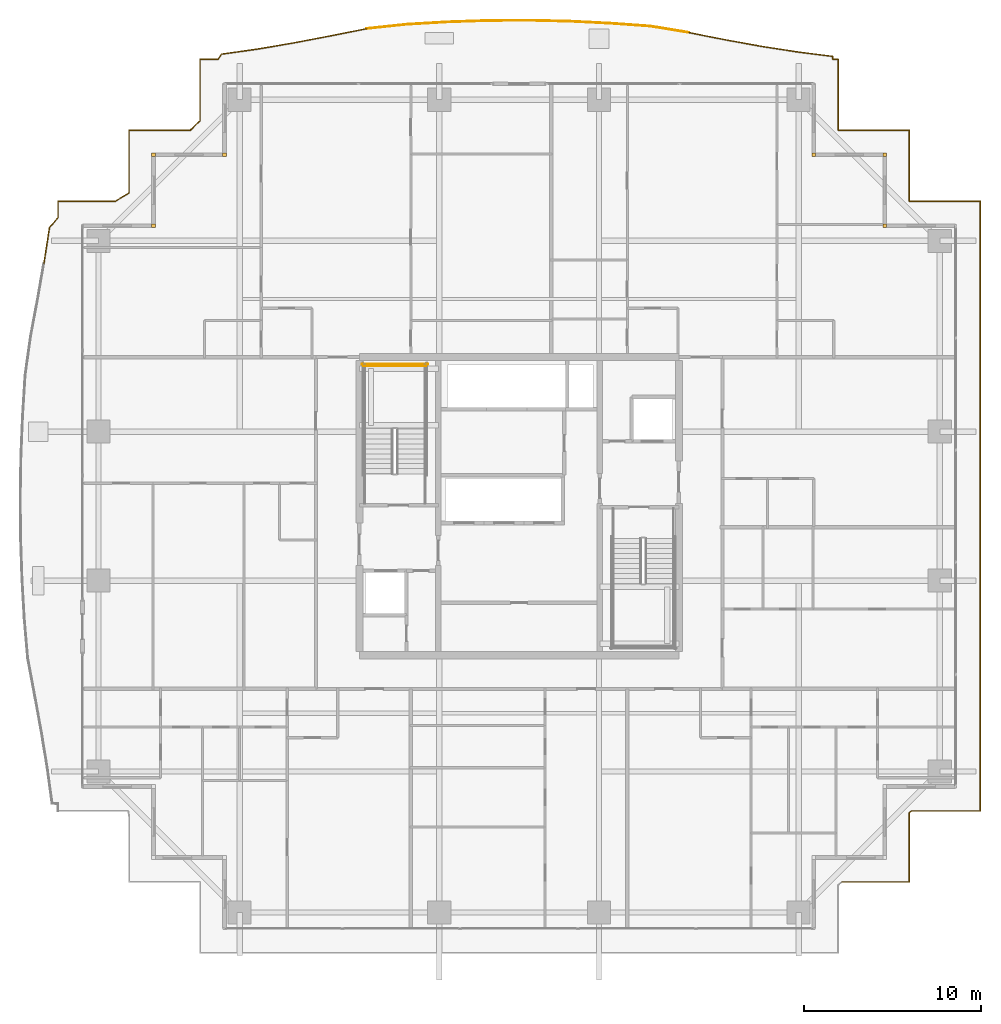
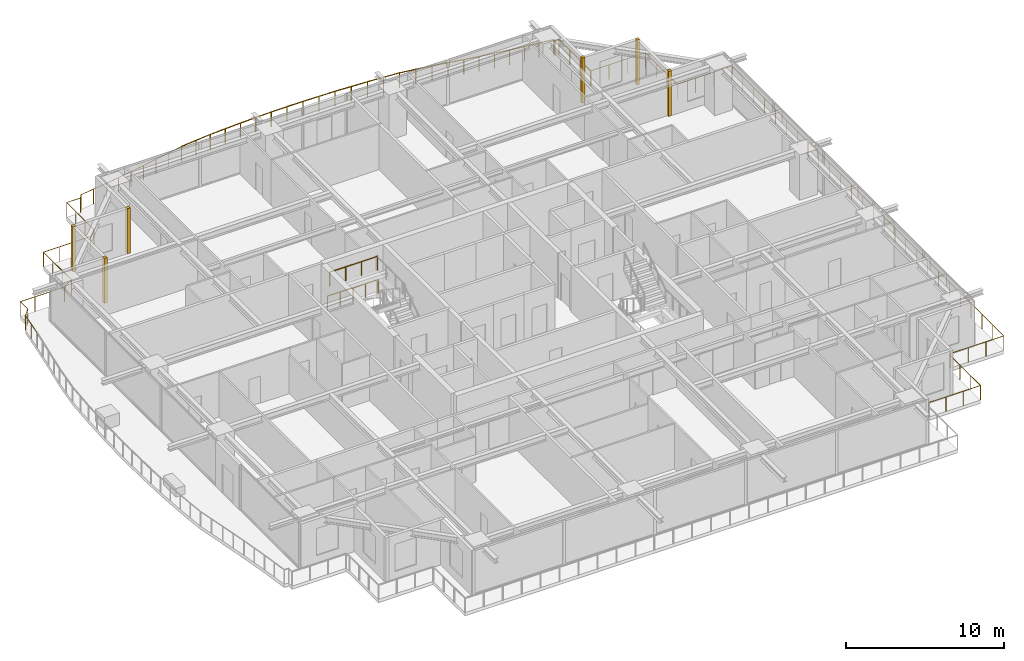
# One storey, part 38 of 38: 7 railings, 6 coverings.
"""IFC4 building model written with IfcOpenShell, lengths in metres."""

from ifc_helpers import new_model, si_unit, direction, frame, origin, origin_2d, place, context, subcontext, project, spatial, rectangle, circle, extrude, source, transform, mapped, material, layer, layer_set, type_object, element, save


model = new_model("IFC4")

# Units and contexts
model_context = context("Model", 3, precision=1e-05, world=origin(), true_north=direction((0.0, 1.0)))
body_context = subcontext(model_context, "Body", "Model", "MODEL_VIEW")
ifc_project = project(units=[si_unit("LENGTHUNIT", "METRE"), si_unit("AREAUNIT", "SQUARE_METRE"), si_unit("VOLUMEUNIT", "CUBIC_METRE"), si_unit("PLANEANGLEUNIT", "RADIAN"), si_unit("MASSUNIT", "GRAM", prefix="KILO")], contexts=[model_context])

# Site, building, storey
site_placement = place(None, origin())
site = spatial("IfcSite", under=ifc_project, at=site_placement, CompositionType="ELEMENT")
building_placement = place(site_placement, origin())
building = spatial("IfcBuilding", under=site, at=building_placement, Name="Serunith Strait Residences", CompositionType="ELEMENT")
storey_placement = place(building_placement, frame((0.0, 0.0, 183.89990234375)))
storey = spatial("IfcBuildingStorey", under=building, at=storey_placement, Name="L46", CompositionType="ELEMENT", Elevation=183.89990234375)

# Railings
ifc_material_1 = material(Name="Stainless Steel & Laminated Glass Balustrade", Category="steel")
railing_type_1 = type_object("IfcRailingType", Name="RLG-BALC-1150", PredefinedType="BALUSTRADE", material=ifc_material_1)
railing_1_placement = place(storey_placement, frame((5.6240234375, 38.878173828125, -0.0498046875)))
element("IfcRailing", 1, at=railing_1_placement, inside=storey, type_object=railing_type_1, Name="L46 Swirling Balcony Perimeter Balustrade 3", PredefinedType="BALUSTRADE", context=body_context, shape_type="SweptSolid", body=[
    extrude(circle(Radius=0.02392578125, at=origin_2d()), frame((0.000244140625, 0.001953125, 1.1259765625), z_axis=(0.151588548142, 0.988443681791, 0.0), x_axis=(-0.988443681791, 0.151588548142, 0.0)), (0.0, 0.0, 1.0), 2.03173828125),
    extrude(circle(Radius=0.02392578125, at=origin_2d()), frame((0.309814453125, 2.013671875, 1.1259765625), z_axis=(0.648808239773, 0.760951948551, 0.0), x_axis=(-0.760951948551, 0.648808239773, 0.0)), (0.0, 0.0, 1.0), 0.7470703125),
    extrude(circle(Radius=0.02392578125, at=origin_2d()), frame((0.7958984375, 2.585693359375, 1.1259765625), z_axis=(0.0, 1.0, 0.0), x_axis=(-1.0, 0.0, 0.0)), (0.0, 0.0, 1.0), 0.9140625),
    extrude(circle(Radius=0.02392578125, at=origin_2d()), frame((0.7978515625, 3.501708984375, 1.1259765625), z_axis=(1.0, 0.0, 0.0), x_axis=(0.0, 1.0, 0.0)), (0.0, 0.0, 1.0), 3.22119140625),
    extrude(circle(Radius=0.02392578125, at=origin_2d()), frame((4.022705078125, 3.502685546875, 1.1259765625), z_axis=(0.858136356982, 0.513421846852, 0.0), x_axis=(-0.513421846852, 0.858136356982, 0.0)), (0.0, 0.0, 1.0), 0.89892578125),
    extrude(circle(Radius=0.02392578125, at=origin_2d()), frame((4.7958984375, 3.96728515625, 1.1259765625), z_axis=(0.0, 1.0, 0.0), x_axis=(-1.0, 0.0, 0.0)), (0.0, 0.0, 1.0), 3.532470703125),
    extrude(circle(Radius=0.02392578125, at=origin_2d()), frame((4.7978515625, 7.501708984375, 1.1259765625), z_axis=(1.0, 0.0, 0.0), x_axis=(0.0, 1.0, 0.0)), (0.0, 0.0, 1.0), 3.4453125),
    extrude(circle(Radius=0.02099609375, at=origin_2d()), origin(), (0.0, 0.0, 1.0), 1.099853515625),
    extrude(circle(Radius=0.02099609375, at=origin_2d()), frame((0.154296875, 1.006103515625, 0.0)), (0.0, 0.0, 1.0), 1.099853515625),
    extrude(circle(Radius=0.02099609375, at=origin_2d()), frame((0.30859375, 2.01220703125, 0.0)), (0.0, 0.0, 1.0), 1.099853515625),
    extrude(circle(Radius=0.02099609375, at=origin_2d()), frame((0.7958984375, 2.583740234375, 0.0)), (0.0, 0.0, 1.0), 1.099853515625),
    extrude(circle(Radius=0.02099609375, at=origin_2d()), frame((0.7958984375, 3.501708984375, 0.0)), (0.0, 0.0, 1.0), 1.099853515625),
    extrude(circle(Radius=0.02099609375, at=origin_2d()), frame((1.870849609375, 3.501708984375, 0.0)), (0.0, 0.0, 1.0), 1.099853515625),
    extrude(circle(Radius=0.02099609375, at=origin_2d()), frame((2.946044921875, 3.501708984375, 0.0)), (0.0, 0.0, 1.0), 1.099853515625),
    extrude(circle(Radius=0.02099609375, at=origin_2d()), frame((4.02099609375, 3.501708984375, 0.0)), (0.0, 0.0, 1.0), 1.099853515625),
    extrude(circle(Radius=0.02099609375, at=origin_2d()), frame((4.7958984375, 3.96533203125, 0.0)), (0.0, 0.0, 1.0), 1.099853515625),
    extrude(circle(Radius=0.02099609375, at=origin_2d()), frame((4.7958984375, 5.14404296875, 0.0)), (0.0, 0.0, 1.0), 1.099853515625),
    extrude(circle(Radius=0.02099609375, at=origin_2d()), frame((4.7958984375, 6.322998046875, 0.0)), (0.0, 0.0, 1.0), 1.099853515625),
    extrude(circle(Radius=0.02099609375, at=origin_2d()), frame((4.7958984375, 7.501708984375, 0.0)), (0.0, 0.0, 1.0), 1.099853515625),
    extrude(circle(Radius=0.02099609375, at=origin_2d()), frame((5.945556640625, 7.501708984375, 0.0)), (0.0, 0.0, 1.0), 1.099853515625),
    extrude(circle(Radius=0.02099609375, at=origin_2d()), frame((7.095458984375, 7.501708984375, 0.0)), (0.0, 0.0, 1.0), 1.099853515625),
    extrude(circle(Radius=0.02099609375, at=origin_2d()), frame((8.2451171875, 7.501708984375, 0.0)), (0.0, 0.0, 1.0), 1.099853515625),
])
railing_2_placement = place(storey_placement, frame((13.869140625, 46.3798828125, -0.0498046875)))
element("IfcRailing", 2, at=railing_2_placement, inside=storey, type_object=railing_type_1, Name="L46 Swirling Balcony Perimeter Balustrade 4", PredefinedType="BALUSTRADE", context=body_context, shape_type="SweptSolid", body=[
    extrude(circle(Radius=0.02392578125, at=origin_2d()), frame((0.00146484375, 0.00146484375, 1.1259765625), z_axis=(0.719912627496, 0.694064700711, 0.0), x_axis=(-0.694064700711, 0.719912627496, 0.0)), (0.0, 0.0, 1.0), 0.760986328125),
    extrude(circle(Radius=0.02392578125, at=origin_2d()), frame((0.55078125, 0.532958984375, 1.1259765625), z_axis=(0.0, 1.0, 0.0), x_axis=(-1.0, 0.0, 0.0)), (0.0, 0.0, 1.0), 3.465087890625),
    extrude(circle(Radius=0.02392578125, at=origin_2d()), frame((0.552734375, 4.0, 1.1259765625), z_axis=(1.0, 0.0, 0.0), x_axis=(0.0, 1.0, 0.0)), (0.0, 0.0, 1.0), 1.002685546875),
    extrude(circle(Radius=0.02392578125, at=origin_2d()), frame((1.55859375, 4.001708984375, 1.1259765625), z_axis=(0.580785130829, 0.814056897157, 0.0), x_axis=(-0.814056897157, 0.580785130829, 0.0)), (0.0, 0.0, 1.0), 0.352783203125),
    extrude(circle(Radius=0.02392578125, at=origin_2d()), frame((1.7666015625, 4.290771484375, 1.1259765625), z_axis=(0.990245098694, 0.139336443594, 0.0), x_axis=(-0.139336443594, 0.990245098694, 0.0)), (0.0, 0.0, 1.0), 2.0126953125),
    extrude(circle(Radius=0.02392578125, at=origin_2d()), frame((3.763671875, 4.57177734375, 1.1259765625), z_axis=(0.986000529247, 0.1667421852, 0.0), x_axis=(-0.1667421852, 0.986000529247, 0.0)), (0.0, 0.0, 1.0), 2.0400390625),
    extrude(circle(Radius=0.02392578125, at=origin_2d()), frame((5.779052734375, 4.912841796875, 1.1259765625), z_axis=(0.982190992646, 0.187885214867, 0.0), x_axis=(-0.187885214867, 0.982190992646, 0.0)), (0.0, 0.0, 1.0), 2.08544921875),
    extrude(circle(Radius=0.02392578125, at=origin_2d()), frame((7.831298828125, 5.305419921875, 1.1259765625), z_axis=(0.980698343778, 0.195526874141, 0.0), x_axis=(-0.195526874141, 0.980698343778, 0.0)), (0.0, 0.0, 1.0), 2.1474609375),
    extrude(circle(Radius=0.02099609375, at=origin_2d()), origin(), (0.0, 0.0, 1.0), 1.099853515625),
    extrude(circle(Radius=0.02099609375, at=origin_2d()), frame((0.55078125, 0.531005859375, 0.0)), (0.0, 0.0, 1.0), 1.099853515625),
    extrude(circle(Radius=0.02099609375, at=origin_2d()), frame((0.55078125, 1.687255859375, 0.0)), (0.0, 0.0, 1.0), 1.099853515625),
    extrude(circle(Radius=0.02099609375, at=origin_2d()), frame((0.55078125, 2.84375, 0.0)), (0.0, 0.0, 1.0), 1.099853515625),
    extrude(circle(Radius=0.02099609375, at=origin_2d()), frame((0.55078125, 4.0, 0.0)), (0.0, 0.0, 1.0), 1.099853515625),
    extrude(circle(Radius=0.02099609375, at=origin_2d()), frame((1.557373046875, 4.0, 0.0)), (0.0, 0.0, 1.0), 1.099853515625),
    extrude(circle(Radius=0.02099609375, at=origin_2d()), frame((1.7646484375, 4.29052734375, 0.0)), (0.0, 0.0, 1.0), 1.099853515625),
    extrude(circle(Radius=0.02099609375, at=origin_2d()), frame((2.76318359375, 4.43115234375, 0.0)), (0.0, 0.0, 1.0), 1.099853515625),
    extrude(circle(Radius=0.02099609375, at=origin_2d()), frame((3.76171875, 4.571533203125, 0.0)), (0.0, 0.0, 1.0), 1.099853515625),
    extrude(circle(Radius=0.02099609375, at=origin_2d()), frame((4.76953125, 4.741943359375, 0.0)), (0.0, 0.0, 1.0), 1.099853515625),
    extrude(circle(Radius=0.02099609375, at=origin_2d()), frame((5.777099609375, 4.912353515625, 0.0)), (0.0, 0.0, 1.0), 1.099853515625),
    extrude(circle(Radius=0.02099609375, at=origin_2d()), frame((6.80322265625, 5.108642578125, 0.0)), (0.0, 0.0, 1.0), 1.099853515625),
    extrude(circle(Radius=0.02099609375, at=origin_2d()), frame((7.829345703125, 5.304931640625, 0.0)), (0.0, 0.0, 1.0), 1.099853515625),
    extrude(circle(Radius=0.02099609375, at=origin_2d()), frame((8.88427734375, 5.51513671875, 0.0)), (0.0, 0.0, 1.0), 1.099853515625),
    extrude(circle(Radius=0.02099609375, at=origin_2d()), frame((9.939208984375, 5.7255859375, 0.0)), (0.0, 0.0, 1.0), 1.099853515625),
])
railing_3_placement = place(storey_placement, frame((23.808349609375, 52.10546875, -0.0498046875)))
element("IfcRailing", 3, at=railing_3_placement, inside=storey, type_object=railing_type_1, Name="L46 Swirling Balcony Perimeter Balustrade 5", PredefinedType="BALUSTRADE", context=body_context, shape_type="SweptSolid", body=[
    extrude(circle(Radius=0.02392578125, at=origin_2d()), frame((0.001953125, 0.000244140625, 1.1259765625), z_axis=(0.99443887495, 0.105315354952, 0.0), x_axis=(-0.105315354952, 0.99443887495, 0.0)), (0.0, 0.0, 1.0), 2.233154296875),
    extrude(circle(Radius=0.02392578125, at=origin_2d()), frame((2.2265625, 0.235595703125, 1.1259765625), z_axis=(0.998250697903, 0.059123126908, 0.0), x_axis=(-0.059123126908, 0.998250697903, 0.0)), (0.0, 0.0, 1.0), 2.279541015625),
    extrude(circle(Radius=0.02392578125, at=origin_2d()), frame((4.506103515625, 0.37060546875, 1.1259765625), z_axis=(0.999422967712, 0.033966624948, 0.0), x_axis=(-0.033966624948, 0.999422967712, 0.0)), (0.0, 0.0, 1.0), 2.30322265625),
    extrude(circle(Radius=0.02392578125, at=origin_2d()), frame((6.81201171875, 0.448974609375, 1.1259765625), z_axis=(0.999983223764, 0.005792425203, 0.0), x_axis=(-0.005792425203, 0.999983223764, 0.0)), (0.0, 0.0, 1.0), 2.314208984375),
    extrude(circle(Radius=0.02392578125, at=origin_2d()), frame((9.130126953125, 0.46240234375, 1.1259765625), z_axis=(0.999737899048, -0.022893955687, 0.0), x_axis=(0.022893955687, 0.999737899048, 0.0)), (0.0, 0.0, 1.0), 2.31005859375),
    extrude(circle(Radius=0.02392578125, at=origin_2d()), frame((11.443603515625, 0.409423828125, 1.1259765625), z_axis=(0.998782123134, -0.04933832696, 0.0), x_axis=(0.04933832696, 0.998782123134, 0.0)), (0.0, 0.0, 1.0), 2.2919921875),
    extrude(circle(Radius=0.02392578125, at=origin_2d()), frame((13.73681640625, 0.2958984375, 1.1259765625), z_axis=(0.997414761336, -0.071859542645, 0.0), x_axis=(0.071859542645, 0.997414761336, 0.0)), (0.0, 0.0, 1.0), 2.26220703125),
    extrude(circle(Radius=0.02392578125, at=origin_2d()), frame((15.9970703125, 0.133056640625, 1.1259765625), z_axis=(0.986791216944, -0.161997204181, 0.0), x_axis=(0.161997204181, 0.986791216944, 0.0)), (0.0, 0.0, 1.0), 2.188720703125),
    extrude(circle(Radius=0.02099609375, at=origin_2d()), origin(), (0.0, 0.0, 1.0), 1.099853515625),
    extrude(circle(Radius=0.02099609375, at=origin_2d()), frame((1.1123046875, 0.11767578125, 0.0)), (0.0, 0.0, 1.0), 1.099853515625),
    extrude(circle(Radius=0.02099609375, at=origin_2d()), frame((2.224609375, 0.235595703125, 0.0)), (0.0, 0.0, 1.0), 1.099853515625),
    extrude(circle(Radius=0.02099609375, at=origin_2d()), frame((3.3642578125, 0.30322265625, 0.0)), (0.0, 0.0, 1.0), 1.099853515625),
    extrude(circle(Radius=0.02099609375, at=origin_2d()), frame((4.504150390625, 0.37060546875, 0.0)), (0.0, 0.0, 1.0), 1.099853515625),
    extrude(circle(Radius=0.02099609375, at=origin_2d()), frame((5.6572265625, 0.40966796875, 0.0)), (0.0, 0.0, 1.0), 1.099853515625),
    extrude(circle(Radius=0.02099609375, at=origin_2d()), frame((6.81005859375, 0.448974609375, 0.0)), (0.0, 0.0, 1.0), 1.099853515625),
    extrude(circle(Radius=0.02099609375, at=origin_2d()), frame((7.96923828125, 0.45556640625, 0.0)), (0.0, 0.0, 1.0), 1.099853515625),
    extrude(circle(Radius=0.02099609375, at=origin_2d()), frame((9.128173828125, 0.46240234375, 0.0)), (0.0, 0.0, 1.0), 1.099853515625),
    extrude(circle(Radius=0.02099609375, at=origin_2d()), frame((10.284912109375, 0.43603515625, 0.0)), (0.0, 0.0, 1.0), 1.099853515625),
    extrude(circle(Radius=0.02099609375, at=origin_2d()), frame((11.441650390625, 0.409423828125, 0.0)), (0.0, 0.0, 1.0), 1.099853515625),
    extrude(circle(Radius=0.02099609375, at=origin_2d()), frame((12.58837890625, 0.352783203125, 0.0)), (0.0, 0.0, 1.0), 1.099853515625),
    extrude(circle(Radius=0.02099609375, at=origin_2d()), frame((13.73486328125, 0.296142578125, 0.0)), (0.0, 0.0, 1.0), 1.099853515625),
    extrude(circle(Radius=0.02099609375, at=origin_2d()), frame((14.864990234375, 0.21484375, 0.0)), (0.0, 0.0, 1.0), 1.099853515625),
    extrude(circle(Radius=0.02099609375, at=origin_2d()), frame((15.9951171875, 0.13330078125, 0.0)), (0.0, 0.0, 1.0), 1.099853515625),
    extrude(circle(Radius=0.02099609375, at=origin_2d()), frame((17.0771484375, -0.04443359375, 0.0)), (0.0, 0.0, 1.0), 1.099853515625),
    extrude(circle(Radius=0.02099609375, at=origin_2d()), frame((18.158935546875, -0.221923828125, 0.0)), (0.0, 0.0, 1.0), 1.099853515625),
])
railing_4_placement = place(storey_placement, frame((41.96728515625, 51.883544921875, -0.0498046875)))
element("IfcRailing", 4, at=railing_4_placement, inside=storey, type_object=railing_type_1, Name="L46 Swirling Balcony Perimeter Balustrade 6", PredefinedType="BALUSTRADE", context=body_context, shape_type="SweptSolid", body=[
    extrude(circle(Radius=0.02392578125, at=origin_2d()), frame((0.001953125, -0.00048828125, 1.1259765625), z_axis=(0.980995033294, -0.194032844264, 0.0), x_axis=(0.194032844264, 0.980995033294, 0.0)), (0.0, 0.0, 1.0), 2.114990234375),
    extrude(circle(Radius=0.02392578125, at=origin_2d()), frame((2.08056640625, -0.411376953125, 1.1259765625), z_axis=(0.983954928173, -0.178417205794, 0.0), x_axis=(0.178417205794, 0.983954928173, 0.0)), (0.0, 0.0, 1.0), 2.060791015625),
    extrude(circle(Radius=0.02392578125, at=origin_2d()), frame((4.1123046875, -0.77978515625, 1.1259765625), z_axis=(0.988212545361, -0.153088096176, 0.0), x_axis=(0.153088096176, 0.988212545361, 0.0)), (0.0, 0.0, 1.0), 2.024658203125),
    extrude(circle(Radius=0.02392578125, at=origin_2d()), frame((6.116943359375, -1.09033203125, 1.1259765625), z_axis=(0.992169082268, -0.124902010357, 0.0), x_axis=(0.124902010357, 0.992169082268, 0.0)), (0.0, 0.0, 1.0), 2.00537109375),
    extrude(circle(Radius=0.02392578125, at=origin_2d()), frame((8.108642578125, -1.343017578125, 1.1259765625), z_axis=(-0.009008643436, -0.999959421348, 0.0), x_axis=(0.999959421348, -0.009008643436, 0.0)), (0.0, 0.0, 1.0), 0.15869140625),
    extrude(circle(Radius=0.02392578125, at=origin_2d()), frame((8.109130859375, -1.503662109375, 1.1259765625), z_axis=(1.0, 0.0, 0.0), x_axis=(0.0, 1.0, 0.0)), (0.0, 0.0, 1.0), 0.301513671875),
    extrude(circle(Radius=0.02392578125, at=origin_2d()), frame((8.41259765625, -1.505615234375, 1.1259765625), z_axis=(0.0, -1.0, 0.0), x_axis=(1.0, 0.0, 0.0)), (0.0, 0.0, 1.0), 3.99609375),
    extrude(circle(Radius=0.02099609375, at=origin_2d()), origin(), (0.0, 0.0, 1.0), 1.099853515625),
    extrude(circle(Radius=0.02099609375, at=origin_2d()), frame((1.039306640625, -0.20556640625, 0.0)), (0.0, 0.0, 1.0), 1.099853515625),
    extrude(circle(Radius=0.02099609375, at=origin_2d()), frame((2.07861328125, -0.4111328125, 0.0)), (0.0, 0.0, 1.0), 1.099853515625),
    extrude(circle(Radius=0.02099609375, at=origin_2d()), frame((3.094482421875, -0.59521484375, 0.0)), (0.0, 0.0, 1.0), 1.099853515625),
    extrude(circle(Radius=0.02099609375, at=origin_2d()), frame((4.1103515625, -0.779541015625, 0.0)), (0.0, 0.0, 1.0), 1.099853515625),
    extrude(circle(Radius=0.02099609375, at=origin_2d()), frame((5.11279296875, -0.934814453125, 0.0)), (0.0, 0.0, 1.0), 1.099853515625),
    extrude(circle(Radius=0.02099609375, at=origin_2d()), frame((6.114990234375, -1.090087890625, 0.0)), (0.0, 0.0, 1.0), 1.099853515625),
    extrude(circle(Radius=0.02099609375, at=origin_2d()), frame((7.11181640625, -1.215576171875, 0.0)), (0.0, 0.0, 1.0), 1.099853515625),
    extrude(circle(Radius=0.02099609375, at=origin_2d()), frame((8.108642578125, -1.341064453125, 0.0)), (0.0, 0.0, 1.0), 1.099853515625),
    extrude(circle(Radius=0.02099609375, at=origin_2d()), frame((8.107177734375, -1.503662109375, 0.0)), (0.0, 0.0, 1.0), 1.099853515625),
    extrude(circle(Radius=0.02099609375, at=origin_2d()), frame((8.41259765625, -1.503662109375, 0.0)), (0.0, 0.0, 1.0), 1.099853515625),
    extrude(circle(Radius=0.02099609375, at=origin_2d()), frame((8.41259765625, -2.8369140625, 0.0)), (0.0, 0.0, 1.0), 1.099853515625),
    extrude(circle(Radius=0.02099609375, at=origin_2d()), frame((8.41259765625, -4.17041015625, 0.0)), (0.0, 0.0, 1.0), 1.099853515625),
    extrude(circle(Radius=0.02099609375, at=origin_2d()), frame((8.41259765625, -5.503662109375, 0.0)), (0.0, 0.0, 1.0), 1.099853515625),
])
railing_5_placement = place(storey_placement, frame((50.3798828125, 46.3798828125, -0.0498046875)))
element("IfcRailing", 5, at=railing_5_placement, inside=storey, type_object=railing_type_1, Name="L46 Swirling Balcony Perimeter Balustrade 7", PredefinedType="BALUSTRADE", context=body_context, shape_type="SweptSolid", body=[
    extrude(circle(Radius=0.02392578125, at=origin_2d()), frame((0.001953125, 0.0, 1.1259765625), z_axis=(1.0, 0.0, 0.0), x_axis=(0.0, 1.0, 0.0)), (0.0, 0.0, 1.0), 3.99609375),
    extrude(circle(Radius=0.02392578125, at=origin_2d()), frame((4.0, -0.001953125, 1.1259765625), z_axis=(0.0, -1.0, 0.0), x_axis=(1.0, 0.0, 0.0)), (0.0, 0.0, 1.0), 3.99609375),
    extrude(circle(Radius=0.02392578125, at=origin_2d()), frame((4.001953125, -4.0, 1.1259765625), z_axis=(1.0, 0.0, 0.0), x_axis=(0.0, 1.0, 0.0)), (0.0, 0.0, 1.0), 3.99609375),
    extrude(circle(Radius=0.02392578125, at=origin_2d()), frame((8.0, -4.001953125, 1.1259765625), z_axis=(0.0, -1.0, 0.0), x_axis=(1.0, 0.0, 0.0)), (0.0, 0.0, 1.0), 34.35595703125),
    extrude(circle(Radius=0.02392578125, at=origin_2d()), frame((7.998046875, -38.35986328125, 1.1259765625), z_axis=(-1.0, 0.0, 0.0), x_axis=(0.0, -1.0, 0.0)), (0.0, 0.0, 1.0), 3.86083984375),
    extrude(circle(Radius=0.02392578125, at=origin_2d()), frame((4.133544921875, -38.361083984375, 1.1259765625), z_axis=(-0.809367380782, -0.587302684249, 0.0), x_axis=(0.587302684249, -0.809367380782, 0.0)), (0.0, 0.0, 1.0), 0.1630859375),
    extrude(circle(Radius=0.02392578125, at=origin_2d()), frame((4.0, -38.4599609375, 1.1259765625), z_axis=(0.0, -1.0, 0.0), x_axis=(1.0, 0.0, 0.0)), (0.0, 0.0, 1.0), 3.89794921875),
    extrude(circle(Radius=0.02392578125, at=origin_2d()), frame((3.998046875, -42.35986328125, 1.1259765625), z_axis=(-1.0, 0.0, 0.0), x_axis=(0.0, -1.0, 0.0)), (0.0, 0.0, 1.0), 3.774169921875),
    extrude(circle(Radius=0.02099609375, at=origin_2d()), origin(), (0.0, 0.0, 1.0), 1.099853515625),
    extrude(circle(Radius=0.02099609375, at=origin_2d()), frame((1.333251953125, 0.0, 0.0)), (0.0, 0.0, 1.0), 1.099853515625),
    extrude(circle(Radius=0.02099609375, at=origin_2d()), frame((2.666748046875, 0.0, 0.0)), (0.0, 0.0, 1.0), 1.099853515625),
    extrude(circle(Radius=0.02099609375, at=origin_2d()), frame((4.0, 0.0, 0.0)), (0.0, 0.0, 1.0), 1.099853515625),
    extrude(circle(Radius=0.02099609375, at=origin_2d()), frame((4.0, -1.333251953125, 0.0)), (0.0, 0.0, 1.0), 1.099853515625),
    extrude(circle(Radius=0.02099609375, at=origin_2d()), frame((4.0, -2.666748046875, 0.0)), (0.0, 0.0, 1.0), 1.099853515625),
    extrude(circle(Radius=0.02099609375, at=origin_2d()), frame((4.0, -4.0, 0.0)), (0.0, 0.0, 1.0), 1.099853515625),
    extrude(circle(Radius=0.02099609375, at=origin_2d()), frame((5.333251953125, -4.0, 0.0)), (0.0, 0.0, 1.0), 1.099853515625),
    extrude(circle(Radius=0.02099609375, at=origin_2d()), frame((6.666748046875, -4.0, 0.0)), (0.0, 0.0, 1.0), 1.099853515625),
    extrude(circle(Radius=0.02099609375, at=origin_2d()), frame((8.0, -4.0, 0.0)), (0.0, 0.0, 1.0), 1.099853515625),
    extrude(circle(Radius=0.02099609375, at=origin_2d()), frame((8.0, -5.37451171875, 0.0)), (0.0, 0.0, 1.0), 1.099853515625),
    extrude(circle(Radius=0.02099609375, at=origin_2d()), frame((8.0, -6.748779296875, 0.0)), (0.0, 0.0, 1.0), 1.099853515625),
    extrude(circle(Radius=0.02099609375, at=origin_2d()), frame((8.0, -8.123291015625, 0.0)), (0.0, 0.0, 1.0), 1.099853515625),
    extrude(circle(Radius=0.02099609375, at=origin_2d()), frame((8.0, -9.49755859375, 0.0)), (0.0, 0.0, 1.0), 1.099853515625),
    extrude(circle(Radius=0.02099609375, at=origin_2d()), frame((8.0, -10.8720703125, 0.0)), (0.0, 0.0, 1.0), 1.099853515625),
    extrude(circle(Radius=0.02099609375, at=origin_2d()), frame((8.0, -12.246337890625, 0.0)), (0.0, 0.0, 1.0), 1.099853515625),
    extrude(circle(Radius=0.02099609375, at=origin_2d()), frame((8.0, -13.620849609375, 0.0)), (0.0, 0.0, 1.0), 1.099853515625),
    extrude(circle(Radius=0.02099609375, at=origin_2d()), frame((8.0, -14.9951171875, 0.0)), (0.0, 0.0, 1.0), 1.099853515625),
    extrude(circle(Radius=0.02099609375, at=origin_2d()), frame((8.0, -16.36962890625, 0.0)), (0.0, 0.0, 1.0), 1.099853515625),
    extrude(circle(Radius=0.02099609375, at=origin_2d()), frame((8.0, -17.743896484375, 0.0)), (0.0, 0.0, 1.0), 1.099853515625),
    extrude(circle(Radius=0.02099609375, at=origin_2d()), frame((8.0, -19.118408203125, 0.0)), (0.0, 0.0, 1.0), 1.099853515625),
    extrude(circle(Radius=0.02099609375, at=origin_2d()), frame((8.0, -20.49267578125, 0.0)), (0.0, 0.0, 1.0), 1.099853515625),
    extrude(circle(Radius=0.02099609375, at=origin_2d()), frame((8.0, -21.8671875, 0.0)), (0.0, 0.0, 1.0), 1.099853515625),
    extrude(circle(Radius=0.02099609375, at=origin_2d()), frame((8.0, -23.241455078125, 0.0)), (0.0, 0.0, 1.0), 1.099853515625),
    extrude(circle(Radius=0.02099609375, at=origin_2d()), frame((8.0, -24.615966796875, 0.0)), (0.0, 0.0, 1.0), 1.099853515625),
    extrude(circle(Radius=0.02099609375, at=origin_2d()), frame((8.0, -25.990234375, 0.0)), (0.0, 0.0, 1.0), 1.099853515625),
    extrude(circle(Radius=0.02099609375, at=origin_2d()), frame((8.0, -27.36474609375, 0.0)), (0.0, 0.0, 1.0), 1.099853515625),
    extrude(circle(Radius=0.02099609375, at=origin_2d()), frame((8.0, -28.739013671875, 0.0)), (0.0, 0.0, 1.0), 1.099853515625),
    extrude(circle(Radius=0.02099609375, at=origin_2d()), frame((8.0, -30.113525390625, 0.0)), (0.0, 0.0, 1.0), 1.099853515625),
    extrude(circle(Radius=0.02099609375, at=origin_2d()), frame((8.0, -31.48779296875, 0.0)), (0.0, 0.0, 1.0), 1.099853515625),
    extrude(circle(Radius=0.02099609375, at=origin_2d()), frame((8.0, -32.8623046875, 0.0)), (0.0, 0.0, 1.0), 1.099853515625),
    extrude(circle(Radius=0.02099609375, at=origin_2d()), frame((8.0, -34.236572265625, 0.0)), (0.0, 0.0, 1.0), 1.099853515625),
    extrude(circle(Radius=0.02099609375, at=origin_2d()), frame((8.0, -35.611083984375, 0.0)), (0.0, 0.0, 1.0), 1.099853515625),
    extrude(circle(Radius=0.02099609375, at=origin_2d()), frame((8.0, -36.9853515625, 0.0)), (0.0, 0.0, 1.0), 1.099853515625),
    extrude(circle(Radius=0.02099609375, at=origin_2d()), frame((8.0, -38.35986328125, 0.0)), (0.0, 0.0, 1.0), 1.099853515625),
    extrude(circle(Radius=0.02099609375, at=origin_2d()), frame((6.711669921875, -38.35986328125, 0.0)), (0.0, 0.0, 1.0), 1.099853515625),
    extrude(circle(Radius=0.02099609375, at=origin_2d()), frame((5.423583984375, -38.35986328125, 0.0)), (0.0, 0.0, 1.0), 1.099853515625),
    extrude(circle(Radius=0.02099609375, at=origin_2d()), frame((4.13525390625, -38.35986328125, 0.0)), (0.0, 0.0, 1.0), 1.099853515625),
    extrude(circle(Radius=0.02099609375, at=origin_2d()), frame((4.0, -38.4580078125, 0.0)), (0.0, 0.0, 1.0), 1.099853515625),
    extrude(circle(Radius=0.02099609375, at=origin_2d()), frame((4.0, -39.758544921875, 0.0)), (0.0, 0.0, 1.0), 1.099853515625),
    extrude(circle(Radius=0.02099609375, at=origin_2d()), frame((4.0, -41.059326171875, 0.0)), (0.0, 0.0, 1.0), 1.099853515625),
    extrude(circle(Radius=0.02099609375, at=origin_2d()), frame((4.0, -42.35986328125, 0.0)), (0.0, 0.0, 1.0), 1.099853515625),
    extrude(circle(Radius=0.02099609375, at=origin_2d()), frame((2.74072265625, -42.35986328125, 0.0)), (0.0, 0.0, 1.0), 1.099853515625),
    extrude(circle(Radius=0.02099609375, at=origin_2d()), frame((1.481201171875, -42.35986328125, 0.0)), (0.0, 0.0, 1.0), 1.099853515625),
    extrude(circle(Radius=0.02099609375, at=origin_2d()), frame((0.221923828125, -42.35986328125, 0.0)), (0.0, 0.0, 1.0), 1.099853515625),
])
ifc_material_2 = material(Name="Brushed stainless steel 316L", Category="steel")
railing_type_2 = type_object("IfcRailingType", Name="RLG-STAIR-GUARD", PredefinedType="BALUSTRADE", material=ifc_material_2)
railing_6_placement = place(storey_placement, frame((27.14990234375, 33.10009765625, 1.875)))
element("IfcRailing", 6, at=railing_6_placement, inside=storey, type_object=railing_type_2, Name="L46 ST-1 stair guard 5", PredefinedType="BALUSTRADE", context=body_context, shape_type="SweptSolid", body=[
    extrude(circle(Radius=0.02392578125, at=origin_2d()), frame((-0.001953125, 0.0, 1.076171875), z_axis=(-1.0, 0.0, 0.0), x_axis=(0.0, -1.0, 0.0)), (0.0, 0.0, 1.0), 3.49609375),
    extrude(circle(Radius=0.02099609375, at=origin_2d()), origin(), (0.0, 0.0, 1.0), 1.050048828125),
    extrude(circle(Radius=0.02099609375, at=origin_2d()), frame((-1.166748046875, 0.0, 0.0)), (0.0, 0.0, 1.0), 1.050048828125),
    extrude(circle(Radius=0.02099609375, at=origin_2d()), frame((-2.333251953125, 0.0, 0.0)), (0.0, 0.0, 1.0), 1.050048828125),
    extrude(circle(Radius=0.02099609375, at=origin_2d()), frame((-3.5, 0.0, 0.0)), (0.0, 0.0, 1.0), 1.050048828125),
])
railing_7_placement = place(storey_placement, frame((27.25, 33.199951171875, 0.0)))
element("IfcRailing", 7, at=railing_7_placement, inside=storey, type_object=railing_type_2, Name="L46 ST-1 stair guard 12", PredefinedType="BALUSTRADE", context=body_context, shape_type="SweptSolid", body=[
    extrude(circle(Radius=0.02392578125, at=origin_2d()), frame((-0.001953125, 0.0, 1.076171875), z_axis=(-1.0, 0.0, 0.0), x_axis=(0.0, -1.0, 0.0)), (0.0, 0.0, 1.0), 3.696044921875),
    extrude(circle(Radius=0.02099609375, at=origin_2d()), origin(), (0.0, 0.0, 1.0), 1.050048828125),
    extrude(circle(Radius=0.02099609375, at=origin_2d()), frame((-0.925048828125, 0.0, 0.0)), (0.0, 0.0, 1.0), 1.050048828125),
    extrude(circle(Radius=0.02099609375, at=origin_2d()), frame((-1.85009765625, 0.0, 0.0)), (0.0, 0.0, 1.0), 1.050048828125),
    extrude(circle(Radius=0.02099609375, at=origin_2d()), frame((-2.77490234375, 0.0, 0.0)), (0.0, 0.0, 1.0), 1.050048828125),
    extrude(circle(Radius=0.02099609375, at=origin_2d()), frame((-3.699951171875, 0.0, 0.0)), (0.0, 0.0, 1.0), 1.050048828125),
])

# Coverings
ifc_material_3 = material(Name="Pale-Champagne Anodised Aluminium", Category="aluminium")
ifc_layer = layer(ifc_material_3, 0.219970703125, Name="Pale-Champagne Anodised Aluminium")
ifc_layer_set = layer_set([ifc_layer], Name="Pale-Champagne Anodised Aluminium")
covering_type = type_object("IfcCoveringType", Name="COV-CORN-TRIM", PredefinedType="CLADDING", material=ifc_layer_set)
shared_shape = source(origin(), body_context, "Body", "SweptSolid", [
    extrude(rectangle(XDim=0.221923828125, YDim=0.221923828125, at=origin_2d()), origin(), (0.0, 0.0, 1.0), 3.47509765625),
])
for number, where, z_axis, x_axis, name in (
    (8, (53.0, 41.0, 0.0), (0.0, 0.0, 1.0), (1.0, 0.0, 0.0), "L46 Girih Serrated Corner Trim Post 07"),
    (9, (53.0, 45.0, 0.0), (0.0, 0.0, 1.0), (1.0, 0.0, 0.0), "L46 Girih Serrated Corner Trim Post 08"),
    (10, (49.0, 45.0, 0.0), (0.0, 0.0, 1.0), (1.0, 0.0, 0.0), "L46 Girih Serrated Corner Trim Post 09"),
    (11, (15.800048828125, 45.0, 0.0), (0.0, 0.0, 1.0), (1.0, 0.0, 0.0), "L46 Girih Serrated Corner Trim Post 12"),
    (12, (11.800048828125, 45.0, 0.0), (0.0, 0.0, 1.0), (1.0, 0.0, 0.0), "L46 Girih Serrated Corner Trim Post 13"),
    (13, (11.800048828125, 41.0, 0.0), (0.0, 0.0, 1.0), (1.0, 0.0, 0.0), "L46 Girih Serrated Corner Trim Post 14"),
):
    element("IfcCovering", number, at=place(storey_placement, frame(where, z_axis=z_axis, x_axis=x_axis)), inside=storey, type_object=covering_type, Name=name, PredefinedType="CLADDING", context=body_context, shape_type="MappedRepresentation", body=[
        mapped(shared_shape, transform((0.0, 0.0, 0.0), scale=1.0)),
    ])

save(model, "model.ifc")
